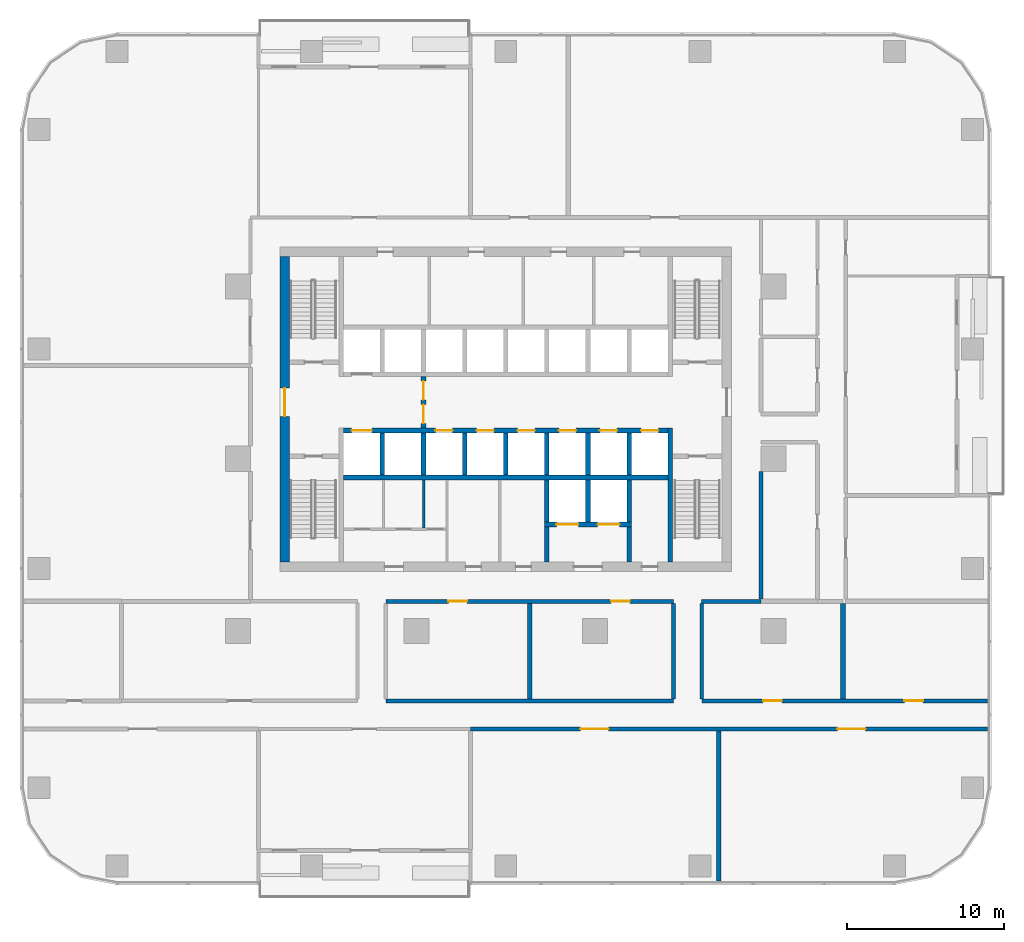
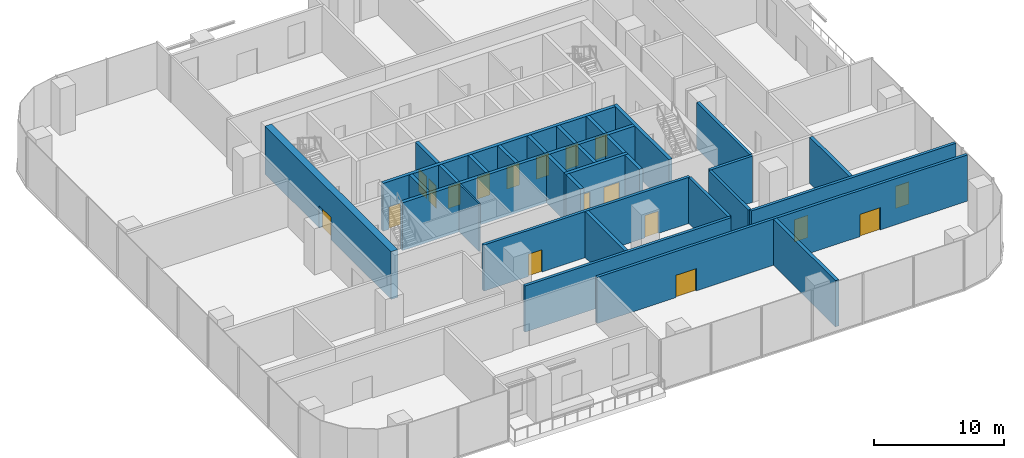
# One storey, part 8 of 15: 30 walls, 18 doors, 18 openings.
"""IFC4 building model written with IfcOpenShell, lengths in metres."""

from ifc_helpers import new_model, si_unit, direction, frame, frame_2d, origin, place, context, subcontext, project, spatial, rectangle, extrude, material, layer, layer_set, type_object, element, fill, save


model = new_model("IFC4")

# Units and contexts
model_context = context("Model", 3, precision=1e-05, world=origin(), true_north=direction((0.0, 1.0)))
body_context = subcontext(model_context, "Body", "Model", "MODEL_VIEW")
ifc_project = project(units=[si_unit("LENGTHUNIT", "METRE"), si_unit("AREAUNIT", "SQUARE_METRE"), si_unit("VOLUMEUNIT", "CUBIC_METRE"), si_unit("PLANEANGLEUNIT", "RADIAN"), si_unit("MASSUNIT", "GRAM", prefix="KILO")], contexts=[model_context])

# Site, building, storey
site_placement = place(None, origin())
site = spatial("IfcSite", under=ifc_project, at=site_placement, CompositionType="ELEMENT")
building_placement = place(site_placement, origin())
building = spatial("IfcBuilding", under=site, at=building_placement, Name="Mopane Tessera Tower", CompositionType="ELEMENT")
storey_placement = place(building_placement, frame((0.0, 0.0, 79.0)))
storey = spatial("IfcBuildingStorey", under=building, at=storey_placement, Name="L15", CompositionType="ELEMENT", Elevation=79.0)

# Wall
ifc_material_1 = material(Name="Fire-rated gypsum board partition")
ifc_layer_1 = layer(ifc_material_1, 0.14990234375)
ifc_layer_set_1 = layer_set([ifc_layer_1], Name="Fire-rated gypsum board partition")
wall_type_1 = type_object("IfcWallType", Name="Core room partition 150 mm", PredefinedType="PARTITIONING", material=ifc_layer_set_1)
wall_1_placement = place(storey_placement, frame((-5.235107421875, -4.425048828125, 0.0), z_axis=(0.0, 0.0, 1.0), x_axis=(0.0, 1.0, 0.0)))
element("IfcWall", 1, at=wall_1_placement, inside=storey, type_object=wall_type_1, Name="L15 WC partition", PredefinedType="PARTITIONING", context=body_context, shape_type="SweptSolid", body=[
    extrude(rectangle(XDim=3.074951171875, YDim=0.14990234375, at=frame_2d((1.53759765625, 0.0))), origin(), (0.0, 0.0, 1.0), 4.5),
])

# Wall, opening, door
ifc_material_2 = material(Name="Concrete C70/85", Category="concrete")
ifc_layer_2 = layer(ifc_material_2, 0.60009765625)
ifc_layer_set_2 = layer_set([ifc_layer_2], Name="Concrete C70/85")
wall_type_2 = type_object("IfcWallType", Name="Core shear wall 600 mm", PredefinedType="SHEAR", material=ifc_layer_set_2)
wall_2_placement = place(storey_placement, frame((-14.10009765625, -6.60009765625, 0.0), z_axis=(0.0, 0.0, 1.0), x_axis=(0.0, 1.0, 0.0)))
wall_2 = element("IfcWall", 2, at=wall_2_placement, inside=storey, type_object=wall_type_2, Name="L15 Core wall west", PredefinedType="SHEAR", context=body_context, shape_type="SweptSolid", body=[
    extrude(rectangle(XDim=19.5, YDim=0.60009765625, at=frame_2d((9.75, 0.0))), origin(), (0.0, 0.0, 1.0), 4.5),
])
opening_1_placement = place(wall_2_placement, frame((9.300048828125, 0.0, 0.0)))
opening_1 = element("IfcOpeningElement", 3, at=opening_1_placement, cuts=wall_2, Name="Opening SD2", PredefinedType="OPENING", context=body_context, shape_type="SweptSolid", body=[
    extrude(rectangle(XDim=1.800048828125, YDim=2.10009765625, at=frame_2d((0.89990234375, 1.050048828125))), frame((0.0, 0.31201171875, 0.0), z_axis=(0.0, -1.0, 0.0), x_axis=(1.0, 0.0, 0.0)), (0.0, 0.0, 1.0), 0.6240234375),
])
ifc_material_3 = material(Name="Steel fire door", Category="steel")
door_type_1 = type_object("IfcDoorType", Name="Core entrance double door 1800 x 2100", OperationType="DOUBLE_DOOR_SINGLE_SWING", PredefinedType="DOOR", material=ifc_material_3)
door_1_placement = place(opening_1_placement, origin())
door_1 = element("IfcDoor", 4, at=door_1_placement, inside=storey, type_object=door_type_1, Name="L15 Core entrance door west", OperationType="DOUBLE_DOOR_SINGLE_SWING", OverallHeight=2.10009765625, OverallWidth=1.800048828125, PredefinedType="DOOR", context=body_context, shape_type="SweptSolid", body=[
    extrude(rectangle(XDim=1.800048828125, YDim=2.10009765625, at=frame_2d((0.89990234375, 1.050048828125))), frame((0.0, 0.02490234375, 0.0), z_axis=(0.0, -1.0, 0.0), x_axis=(1.0, 0.0, 0.0)), (0.0, 0.0, 1.0), 0.050048828125),
])
fill(opening_1, door_1)

# Walls
ifc_material_4 = material(Name="Concrete C60/75", Category="concrete")
ifc_layer_3 = layer(ifc_material_4, 0.300048828125)
ifc_layer_set_3 = layer_set([ifc_layer_3], Name="Concrete C60/75")
wall_type_3 = type_object("IfcWallType", Name="Core spine wall 300 mm", PredefinedType="SHEAR", material=ifc_layer_set_3)
wall_3_placement = place(storey_placement, frame((10.5, -6.60009765625, 0.0), z_axis=(0.0, 0.0, 1.0), x_axis=(0.0, 1.0, 0.0)))
element("IfcWall", 5, at=wall_3_placement, inside=storey, type_object=wall_type_3, Name="L15 Core spine wall", PredefinedType="SHEAR", context=body_context, shape_type="SweptSolid", body=[
    extrude(rectangle(XDim=8.550048828125, YDim=0.300048828125, at=frame_2d((4.27490234375, 0.0))), origin(), (0.0, 0.0, 1.0), 4.5),
])
ifc_material_5 = material(Name="Concrete C50/60", Category="concrete")
ifc_layer_4 = layer(ifc_material_5, 0.300048828125)
ifc_layer_set_4 = layer_set([ifc_layer_4], Name="Concrete C50/60")
wall_type_4 = type_object("IfcWallType", Name="Lift and stair shaft wall 300 mm", PredefinedType="SOLIDWALL", material=ifc_layer_set_4)
wall_4_placement = place(storey_placement, frame((-10.35009765625, -1.199951171875, 0.0), z_axis=(0.0, 0.0, 1.0), x_axis=(1.0, 0.0, 0.0)))
element("IfcWall", 6, at=wall_4_placement, inside=storey, type_object=wall_type_4, Name="L15 Lift shaft rear wall", PredefinedType="SOLIDWALL", context=body_context, shape_type="SweptSolid", body=[
    extrude(rectangle(XDim=20.7001953125, YDim=0.300048828125, at=frame_2d((10.35009765625, 0.0))), origin(), (0.0, 0.0, 1.0), 4.5),
])

# Wall, openings, doors
wall_5_placement = place(storey_placement, frame((-10.35009765625, 1.800048828125, 0.0), z_axis=(0.0, 0.0, 1.0), x_axis=(1.0, 0.0, 0.0)))
wall_5 = element("IfcWall", 7, at=wall_5_placement, inside=storey, type_object=wall_type_4, Name="L15 Lift shaft front wall", PredefinedType="SOLIDWALL", context=body_context, shape_type="SweptSolid", body=[
    extrude(rectangle(XDim=20.7001953125, YDim=0.300048828125, at=frame_2d((10.35009765625, 0.0))), origin(), (0.0, 0.0, 1.0), 4.5),
])
opening_2_placement = place(wall_5_placement, frame((0.512451171875, 0.0, 0.0)))
opening_2 = element("IfcOpeningElement", 8, at=opening_2_placement, cuts=wall_5, Name="Opening LD2", PredefinedType="OPENING", context=body_context, shape_type="SweptSolid", body=[
    extrude(rectangle(XDim=1.300048828125, YDim=2.10009765625, at=frame_2d((0.64990234375, 1.050048828125))), frame((0.0, 0.162109375, 0.0), z_axis=(0.0, -1.0, 0.0), x_axis=(1.0, 0.0, 0.0)), (0.0, 0.0, 1.0), 0.323974609375),
])
opening_3_placement = place(wall_5_placement, frame((5.862548828125, 0.0, 0.0)))
opening_3 = element("IfcOpeningElement", 9, at=opening_3_placement, cuts=wall_5, Name="Opening LD", PredefinedType="OPENING", context=body_context, shape_type="SweptSolid", body=[
    extrude(rectangle(XDim=1.10009765625, YDim=2.10009765625, at=frame_2d((0.550048828125, 1.050048828125))), frame((0.0, 0.162109375, 0.0), z_axis=(0.0, -1.0, 0.0), x_axis=(1.0, 0.0, 0.0)), (0.0, 0.0, 1.0), 0.323974609375),
])
opening_4_placement = place(wall_5_placement, frame((8.487548828125, 0.0, 0.0)))
opening_4 = element("IfcOpeningElement", 10, at=opening_4_placement, cuts=wall_5, Name="Opening LD", PredefinedType="OPENING", context=body_context, shape_type="SweptSolid", body=[
    extrude(rectangle(XDim=1.10009765625, YDim=2.10009765625, at=frame_2d((0.550048828125, 1.050048828125))), frame((0.0, 0.162109375, 0.0), z_axis=(0.0, -1.0, 0.0), x_axis=(1.0, 0.0, 0.0)), (0.0, 0.0, 1.0), 0.323974609375),
])
opening_5_placement = place(wall_5_placement, frame((11.112548828125, 0.0, 0.0)))
opening_5 = element("IfcOpeningElement", 11, at=opening_5_placement, cuts=wall_5, Name="Opening LD", PredefinedType="OPENING", context=body_context, shape_type="SweptSolid", body=[
    extrude(rectangle(XDim=1.10009765625, YDim=2.10009765625, at=frame_2d((0.550048828125, 1.050048828125))), frame((0.0, 0.162109375, 0.0), z_axis=(0.0, -1.0, 0.0), x_axis=(1.0, 0.0, 0.0)), (0.0, 0.0, 1.0), 0.323974609375),
])
opening_6_placement = place(wall_5_placement, frame((13.737548828125, 0.0, 0.0)))
opening_6 = element("IfcOpeningElement", 12, at=opening_6_placement, cuts=wall_5, Name="Opening LD", PredefinedType="OPENING", context=body_context, shape_type="SweptSolid", body=[
    extrude(rectangle(XDim=1.10009765625, YDim=2.10009765625, at=frame_2d((0.550048828125, 1.050048828125))), frame((0.0, 0.162109375, 0.0), z_axis=(0.0, -1.0, 0.0), x_axis=(1.0, 0.0, 0.0)), (0.0, 0.0, 1.0), 0.323974609375),
])
opening_7_placement = place(wall_5_placement, frame((16.362548828125, 0.0, 0.0)))
opening_7 = element("IfcOpeningElement", 13, at=opening_7_placement, cuts=wall_5, Name="Opening LD", PredefinedType="OPENING", context=body_context, shape_type="SweptSolid", body=[
    extrude(rectangle(XDim=1.10009765625, YDim=2.10009765625, at=frame_2d((0.550048828125, 1.050048828125))), frame((0.0, 0.162109375, 0.0), z_axis=(0.0, -1.0, 0.0), x_axis=(1.0, 0.0, 0.0)), (0.0, 0.0, 1.0), 0.323974609375),
])
opening_8_placement = place(wall_5_placement, frame((18.987548828125, 0.0, 0.0)))
opening_8 = element("IfcOpeningElement", 14, at=opening_8_placement, cuts=wall_5, Name="Opening LD", PredefinedType="OPENING", context=body_context, shape_type="SweptSolid", body=[
    extrude(rectangle(XDim=1.10009765625, YDim=2.10009765625, at=frame_2d((0.550048828125, 1.050048828125))), frame((0.0, 0.162109375, 0.0), z_axis=(0.0, -1.0, 0.0), x_axis=(1.0, 0.0, 0.0)), (0.0, 0.0, 1.0), 0.323974609375),
])
ifc_material_6 = material(Name="Stainless steel sliding door", Category="steel")
door_type_2 = type_object("IfcDoorType", Name="Fire-fighting lift landing door 1300 x 2100", OperationType="DOUBLE_DOOR_SLIDING", PredefinedType="DOOR", material=ifc_material_6)
door_2_placement = place(opening_2_placement, origin())
door_2 = element("IfcDoor", 15, at=door_2_placement, inside=storey, type_object=door_type_2, Name="L15 Lift landing door FF1", OperationType="DOUBLE_DOOR_SLIDING", OverallHeight=2.10009765625, OverallWidth=1.300048828125, PredefinedType="DOOR", context=body_context, shape_type="SweptSolid", body=[
    extrude(rectangle(XDim=1.300048828125, YDim=2.10009765625, at=frame_2d((0.64990234375, 1.050048828125))), frame((0.0, 0.02490234375, 0.0), z_axis=(0.0, -1.0, 0.0), x_axis=(1.0, 0.0, 0.0)), (0.0, 0.0, 1.0), 0.050048828125),
])
fill(opening_2, door_2)
ifc_material_7 = material(Name="Stainless steel sliding door", Category="steel")
door_type_3 = type_object("IfcDoorType", Name="Lift landing door 1100 x 2100", OperationType="DOUBLE_DOOR_SLIDING", PredefinedType="DOOR", material=ifc_material_7)
door_3_placement = place(opening_3_placement, origin())
door_3 = element("IfcDoor", 16, at=door_3_placement, inside=storey, type_object=door_type_3, Name="L15 Lift landing door LR1", OperationType="DOUBLE_DOOR_SLIDING", OverallHeight=2.10009765625, OverallWidth=1.10009765625, PredefinedType="DOOR", context=body_context, shape_type="SweptSolid", body=[
    extrude(rectangle(XDim=1.10009765625, YDim=2.10009765625, at=frame_2d((0.550048828125, 1.050048828125))), frame((0.0, 0.02490234375, 0.0), z_axis=(0.0, -1.0, 0.0), x_axis=(1.0, 0.0, 0.0)), (0.0, 0.0, 1.0), 0.050048828125),
])
fill(opening_3, door_3)
door_4_placement = place(opening_4_placement, origin())
door_4 = element("IfcDoor", 17, at=door_4_placement, inside=storey, type_object=door_type_3, Name="L15 Lift landing door LR2", OperationType="DOUBLE_DOOR_SLIDING", OverallHeight=2.10009765625, OverallWidth=1.10009765625, PredefinedType="DOOR", context=body_context, shape_type="SweptSolid", body=[
    extrude(rectangle(XDim=1.10009765625, YDim=2.10009765625, at=frame_2d((0.550048828125, 1.050048828125))), frame((0.0, 0.02490234375, 0.0), z_axis=(0.0, -1.0, 0.0), x_axis=(1.0, 0.0, 0.0)), (0.0, 0.0, 1.0), 0.050048828125),
])
fill(opening_4, door_4)
door_5_placement = place(opening_5_placement, origin())
door_5 = element("IfcDoor", 18, at=door_5_placement, inside=storey, type_object=door_type_3, Name="L15 Lift landing door LR3", OperationType="DOUBLE_DOOR_SLIDING", OverallHeight=2.10009765625, OverallWidth=1.10009765625, PredefinedType="DOOR", context=body_context, shape_type="SweptSolid", body=[
    extrude(rectangle(XDim=1.10009765625, YDim=2.10009765625, at=frame_2d((0.550048828125, 1.050048828125))), frame((0.0, 0.02490234375, 0.0), z_axis=(0.0, -1.0, 0.0), x_axis=(1.0, 0.0, 0.0)), (0.0, 0.0, 1.0), 0.050048828125),
])
fill(opening_5, door_5)
door_6_placement = place(opening_6_placement, origin())
door_6 = element("IfcDoor", 19, at=door_6_placement, inside=storey, type_object=door_type_3, Name="L15 Lift landing door LR4", OperationType="DOUBLE_DOOR_SLIDING", OverallHeight=2.10009765625, OverallWidth=1.10009765625, PredefinedType="DOOR", context=body_context, shape_type="SweptSolid", body=[
    extrude(rectangle(XDim=1.10009765625, YDim=2.10009765625, at=frame_2d((0.550048828125, 1.050048828125))), frame((0.0, 0.02490234375, 0.0), z_axis=(0.0, -1.0, 0.0), x_axis=(1.0, 0.0, 0.0)), (0.0, 0.0, 1.0), 0.050048828125),
])
fill(opening_6, door_6)
door_7_placement = place(opening_7_placement, origin())
door_7 = element("IfcDoor", 20, at=door_7_placement, inside=storey, type_object=door_type_3, Name="L15 Lift landing door LR5", OperationType="DOUBLE_DOOR_SLIDING", OverallHeight=2.10009765625, OverallWidth=1.10009765625, PredefinedType="DOOR", context=body_context, shape_type="SweptSolid", body=[
    extrude(rectangle(XDim=1.10009765625, YDim=2.10009765625, at=frame_2d((0.550048828125, 1.050048828125))), frame((0.0, 0.02490234375, 0.0), z_axis=(0.0, -1.0, 0.0), x_axis=(1.0, 0.0, 0.0)), (0.0, 0.0, 1.0), 0.050048828125),
])
fill(opening_7, door_7)
door_8_placement = place(opening_8_placement, origin())
door_8 = element("IfcDoor", 21, at=door_8_placement, inside=storey, type_object=door_type_3, Name="L15 Lift landing door LR6", OperationType="DOUBLE_DOOR_SLIDING", OverallHeight=2.10009765625, OverallWidth=1.10009765625, PredefinedType="DOOR", context=body_context, shape_type="SweptSolid", body=[
    extrude(rectangle(XDim=1.10009765625, YDim=2.10009765625, at=frame_2d((0.550048828125, 1.050048828125))), frame((0.0, 0.02490234375, 0.0), z_axis=(0.0, -1.0, 0.0), x_axis=(1.0, 0.0, 0.0)), (0.0, 0.0, 1.0), 0.050048828125),
])
fill(opening_8, door_8)

# Walls
for number, where, z_axis, x_axis, name in (
    (22, (-7.875, -1.050048828125, 0.0), (0.0, 0.0, 1.0), (0.0, 1.0, 0.0), "L15 Lift shaft wall"),
    (23, (-5.25, -1.050048828125, 0.0), (0.0, 0.0, 1.0), (0.0, 1.0, 0.0), "L15 Lift shaft wall"),
    (24, (-2.625, -1.050048828125, 0.0), (0.0, 0.0, 1.0), (0.0, 1.0, 0.0), "L15 Lift shaft wall"),
    (25, (0.0, -1.050048828125, 0.0), (0.0, 0.0, 1.0), (0.0, 1.0, 0.0), "L15 Lift shaft wall"),
    (26, (2.625, -1.050048828125, 0.0), (0.0, 0.0, 1.0), (0.0, 1.0, 0.0), "L15 Lift shaft wall"),
    (27, (5.25, -1.050048828125, 0.0), (0.0, 0.0, 1.0), (0.0, 1.0, 0.0), "L15 Lift shaft wall"),
    (28, (7.875, -1.050048828125, 0.0), (0.0, 0.0, 1.0), (0.0, 1.0, 0.0), "L15 Lift shaft wall"),
):
    element("IfcWall", number, at=place(storey_placement, frame(where, z_axis=z_axis, x_axis=x_axis)), inside=storey, type_object=wall_type_4, Name=name, PredefinedType="SOLIDWALL", context=body_context, shape_type="SweptSolid", body=[
        extrude(rectangle(XDim=2.699951171875, YDim=0.300048828125, at=frame_2d((1.35009765625, 0.0))), origin(), (0.0, 0.0, 1.0), 4.5),
    ])

# Wall, openings, doors
wall_6_placement = place(storey_placement, frame((2.47509765625, -4.199951171875, 0.0), z_axis=(0.0, 0.0, 1.0), x_axis=(1.0, 0.0, 0.0)))
wall_6 = element("IfcWall", 29, at=wall_6_placement, inside=storey, type_object=wall_type_4, Name="L15 Lift shaft front wall", PredefinedType="SOLIDWALL", context=body_context, shape_type="SweptSolid", body=[
    extrude(rectangle(XDim=5.5498046875, YDim=0.300048828125, at=frame_2d((2.77490234375, 0.0))), origin(), (0.0, 0.0, 1.0), 4.5),
])
opening_9_placement = place(wall_6_placement, frame((0.762451171875, 0.0, 0.0)))
opening_9 = element("IfcOpeningElement", 30, at=opening_9_placement, cuts=wall_6, Name="Opening LD3", PredefinedType="OPENING", context=body_context, shape_type="SweptSolid", body=[
    extrude(rectangle(XDim=1.39990234375, YDim=2.10009765625, at=frame_2d((0.699951171875, 1.050048828125))), frame((0.0, 0.162109375, 0.0), z_axis=(0.0, -1.0, 0.0), x_axis=(1.0, 0.0, 0.0)), (0.0, 0.0, 1.0), 0.323974609375),
])
opening_10_placement = place(wall_6_placement, frame((3.387451171875, 0.0, 0.0)))
opening_10 = element("IfcOpeningElement", 31, at=opening_10_placement, cuts=wall_6, Name="Opening LD3", PredefinedType="OPENING", context=body_context, shape_type="SweptSolid", body=[
    extrude(rectangle(XDim=1.39990234375, YDim=2.10009765625, at=frame_2d((0.699951171875, 1.050048828125))), frame((0.0, 0.162109375, 0.0), z_axis=(0.0, -1.0, 0.0), x_axis=(1.0, 0.0, 0.0)), (0.0, 0.0, 1.0), 0.323974609375),
])
ifc_material_8 = material(Name="Stainless steel sliding door", Category="steel")
door_type_4 = type_object("IfcDoorType", Name="Service lift landing door 1400 x 2100", OperationType="DOUBLE_DOOR_SLIDING", PredefinedType="DOOR", material=ifc_material_8)
door_9_placement = place(opening_9_placement, origin())
door_9 = element("IfcDoor", 32, at=door_9_placement, inside=storey, type_object=door_type_4, Name="L15 Lift landing door SV1", OperationType="DOUBLE_DOOR_SLIDING", OverallHeight=2.10009765625, OverallWidth=1.39990234375, PredefinedType="DOOR", context=body_context, shape_type="SweptSolid", body=[
    extrude(rectangle(XDim=1.39990234375, YDim=2.10009765625, at=frame_2d((0.699951171875, 1.050048828125))), frame((0.0, 0.02490234375, 0.0), z_axis=(0.0, -1.0, 0.0), x_axis=(1.0, 0.0, 0.0)), (0.0, 0.0, 1.0), 0.050048828125),
])
fill(opening_9, door_9)
door_10_placement = place(opening_10_placement, origin())
door_10 = element("IfcDoor", 33, at=door_10_placement, inside=storey, type_object=door_type_4, Name="L15 Lift landing door SV2", OperationType="DOUBLE_DOOR_SLIDING", OverallHeight=2.10009765625, OverallWidth=1.39990234375, PredefinedType="DOOR", context=body_context, shape_type="SweptSolid", body=[
    extrude(rectangle(XDim=1.39990234375, YDim=2.10009765625, at=frame_2d((0.699951171875, 1.050048828125))), frame((0.0, 0.02490234375, 0.0), z_axis=(0.0, -1.0, 0.0), x_axis=(1.0, 0.0, 0.0)), (0.0, 0.0, 1.0), 0.050048828125),
])
fill(opening_10, door_10)

# Walls
for number, where, z_axis, x_axis, name in (
    (34, (2.625, -4.050048828125, 0.0), (0.0, 0.0, 1.0), (0.0, 1.0, 0.0), "L15 Lift shaft wall"),
    (35, (5.25, -4.050048828125, 0.0), (0.0, 0.0, 1.0), (0.0, 1.0, 0.0), "L15 Lift shaft wall"),
    (36, (7.875, -4.050048828125, 0.0), (0.0, 0.0, 1.0), (0.0, 1.0, 0.0), "L15 Lift shaft wall"),
):
    element("IfcWall", number, at=place(storey_placement, frame(where, z_axis=z_axis, x_axis=x_axis)), inside=storey, type_object=wall_type_4, Name=name, PredefinedType="SOLIDWALL", context=body_context, shape_type="SweptSolid", body=[
        extrude(rectangle(XDim=2.699951171875, YDim=0.300048828125, at=frame_2d((1.35009765625, 0.0))), origin(), (0.0, 0.0, 1.0), 4.5),
    ])

# Wall, openings, doors
ifc_material_9 = material(Name="Concrete C50/60", Category="concrete")
ifc_layer_5 = layer(ifc_material_9, 0.300048828125)
ifc_layer_set_5 = layer_set([ifc_layer_5], Name="Concrete C50/60")
wall_type_5 = type_object("IfcWallType", Name="Lobby and refuge room wall 300 mm", PredefinedType="SOLIDWALL", material=ifc_layer_set_5)
wall_7_placement = place(storey_placement, frame((-5.25, 1.949951171875, 0.0), z_axis=(0.0, 0.0, 1.0), x_axis=(0.0, 1.0, 0.0)))
wall_7 = element("IfcWall", 37, at=wall_7_placement, inside=storey, type_object=wall_type_5, Name="L15 Fire-fighting lobby wall", PredefinedType="SOLIDWALL", context=body_context, shape_type="SweptSolid", body=[
    extrude(rectangle(XDim=3.300048828125, YDim=0.300048828125, at=frame_2d((1.64990234375, 0.0))), origin(), (0.0, 0.0, 1.0), 4.5),
])
opening_11_placement = place(wall_7_placement, frame((0.300048828125, 0.0, 0.0)))
opening_11 = element("IfcOpeningElement", 38, at=opening_11_placement, cuts=wall_7, Name="Opening SD3", PredefinedType="OPENING", context=body_context, shape_type="SweptSolid", body=[
    extrude(rectangle(XDim=1.199951171875, YDim=2.10009765625, at=frame_2d((0.60009765625, 1.050048828125))), frame((0.0, 0.162109375, 0.0), z_axis=(0.0, -1.0, 0.0), x_axis=(1.0, 0.0, 0.0)), (0.0, 0.0, 1.0), 0.323974609375),
])
opening_12_placement = place(wall_7_placement, frame((1.800048828125, 0.0, 0.0)))
opening_12 = element("IfcOpeningElement", 39, at=opening_12_placement, cuts=wall_7, Name="Opening SD3", PredefinedType="OPENING", context=body_context, shape_type="SweptSolid", body=[
    extrude(rectangle(XDim=1.199951171875, YDim=2.10009765625, at=frame_2d((0.60009765625, 1.050048828125))), frame((0.0, 0.162109375, 0.0), z_axis=(0.0, -1.0, 0.0), x_axis=(1.0, 0.0, 0.0)), (0.0, 0.0, 1.0), 0.323974609375),
])
ifc_material_10 = material(Name="Steel fire door", Category="steel")
door_type_5 = type_object("IfcDoorType", Name="Lobby fire door 1200 x 2100", OperationType="SINGLE_SWING_LEFT", PredefinedType="DOOR", material=ifc_material_10)
door_11_placement = place(opening_11_placement, origin())
door_11 = element("IfcDoor", 40, at=door_11_placement, inside=storey, type_object=door_type_5, Name="L15 Fire-fighting lobby door", OperationType="SINGLE_SWING_LEFT", OverallHeight=2.10009765625, OverallWidth=1.199951171875, PredefinedType="DOOR", context=body_context, shape_type="SweptSolid", body=[
    extrude(rectangle(XDim=1.199951171875, YDim=2.10009765625, at=frame_2d((0.60009765625, 1.050048828125))), frame((0.0, 0.02490234375, 0.0), z_axis=(0.0, -1.0, 0.0), x_axis=(1.0, 0.0, 0.0)), (0.0, 0.0, 1.0), 0.050048828125),
])
fill(opening_11, door_11)
door_12_placement = place(opening_12_placement, origin())
door_12 = element("IfcDoor", 41, at=door_12_placement, inside=storey, type_object=door_type_5, Name="L15 Fire-fighting lobby door", OperationType="SINGLE_SWING_RIGHT", OverallHeight=2.10009765625, OverallWidth=1.199951171875, PredefinedType="DOOR", context=body_context, shape_type="SweptSolid", body=[
    extrude(rectangle(XDim=1.199951171875, YDim=2.10009765625, at=frame_2d((0.60009765625, 1.050048828125))), frame((0.0, 0.02490234375, 0.0), z_axis=(0.0, -1.0, 0.0), x_axis=(1.0, 0.0, 0.0)), (0.0, 0.0, 1.0), 0.050048828125),
])
fill(opening_12, door_12)

# Walls
for number, where, z_axis, x_axis, name in (
    (42, (2.625, -6.60009765625, 0.0), (0.0, 0.0, 1.0), (0.0, 1.0, 0.0), "L15 Service lobby wall"),
    (43, (7.875, -6.60009765625, 0.0), (0.0, 0.0, 1.0), (0.0, 1.0, 0.0), "L15 Service lobby wall"),
):
    element("IfcWall", number, at=place(storey_placement, frame(where, z_axis=z_axis, x_axis=x_axis)), inside=storey, type_object=wall_type_5, Name=name, PredefinedType="SOLIDWALL", context=body_context, shape_type="SweptSolid", body=[
        extrude(rectangle(XDim=2.25, YDim=0.300048828125, at=frame_2d((1.125, 0.0))), origin(), (0.0, 0.0, 1.0), 4.5),
    ])
ifc_material_11 = material(Name="Plastered concrete blockwork C20/25", Category="masonry")
ifc_layer_6 = layer(ifc_material_11, 0.300048828125)
ifc_layer_set_6 = layer_set([ifc_layer_6], Name="Plastered concrete blockwork C20/25")
wall_type_6 = type_object("IfcWallType", Name="Plastered blockwork separation wall 300, rated EI 120", PredefinedType="PARTITIONING", material=ifc_layer_set_6)
wall_8_placement = place(storey_placement, frame((1.530029296875, -15.324951171875, 0.0), z_axis=(0.0, 0.0, 1.0), x_axis=(0.0, 1.0, 0.0)))
element("IfcWall", 44, at=wall_8_placement, inside=storey, type_object=wall_type_6, Name="Partition L15:034", PredefinedType="PARTITIONING", context=body_context, shape_type="SweptSolid", body=[
    extrude(rectangle(XDim=6.099853515625, YDim=0.300048828125, at=frame_2d((3.0498046875, 0.0))), origin(), (0.0, 0.0, 1.0), 4.35009765625),
])
wall_9_placement = place(storey_placement, frame((13.594970703125, -26.949951171875, 0.0), z_axis=(0.0, 0.0, 1.0), x_axis=(0.0, 1.0, 0.0)))
element("IfcWall", 45, at=wall_9_placement, inside=storey, type_object=wall_type_6, Name="Partition L15:038", PredefinedType="PARTITIONING", context=body_context, shape_type="SweptSolid", body=[
    extrude(rectangle(XDim=9.574951171875, YDim=0.300048828125, at=frame_2d((4.78759765625, 0.0))), origin(), (0.0, 0.0, 1.0), 4.35009765625),
])
wall_10_placement = place(storey_placement, frame((21.530029296875, -15.324951171875, 0.0), z_axis=(0.0, 0.0, 1.0), x_axis=(0.0, 1.0, 0.0)))
element("IfcWall", 46, at=wall_10_placement, inside=storey, type_object=wall_type_6, Name="Partition L15:046", PredefinedType="PARTITIONING", context=body_context, shape_type="SweptSolid", body=[
    extrude(rectangle(XDim=6.099853515625, YDim=0.300048828125, at=frame_2d((3.0498046875, 0.0))), origin(), (0.0, 0.0, 1.0), 4.35009765625),
])

# Wall, openings, doors
ifc_material_12 = material(Name="Plastered concrete blockwork C20/25", Category="masonry")
ifc_layer_7 = layer(ifc_material_12, 0.25)
ifc_layer_set_7 = layer_set([ifc_layer_7], Name="Plastered concrete blockwork C20/25")
wall_type_7 = type_object("IfcWallType", Name="Plastered blockwork wall 250, rated EI 120", PredefinedType="PARTITIONING", material=ifc_layer_set_7)
wall_11_placement = place(storey_placement, frame((-2.2548828125, -17.25, 0.0), z_axis=(0.0, 0.0, 1.0), x_axis=(1.0, 0.0, 0.0)))
wall_11 = element("IfcWall", 47, at=wall_11_placement, inside=storey, type_object=wall_type_7, Name="Partition L15:002", PredefinedType="PARTITIONING", context=body_context, shape_type="SweptSolid", body=[
    extrude(rectangle(XDim=33.0048828125, YDim=0.25, at=frame_2d((16.50244140625, 0.0))), origin(), (0.0, 0.0, 1.0), 4.35009765625),
])
opening_13_placement = place(wall_11_placement, frame((7.02490234375, 0.0, 0.0)))
opening_13 = element("IfcOpeningElement", 48, at=opening_13_placement, cuts=wall_11, Name="Opening L15-06", PredefinedType="OPENING", context=body_context, shape_type="SweptSolid", body=[
    extrude(rectangle(XDim=1.800048828125, YDim=2.10009765625, at=frame_2d((0.89990234375, 1.050048828125))), frame((0.0, 0.136962890625, 0.0), z_axis=(0.0, -1.0, 0.0), x_axis=(1.0, 0.0, 0.0)), (0.0, 0.0, 1.0), 0.27392578125),
])
opening_14_placement = place(wall_11_placement, frame((23.427490234375, 0.0, 0.0)))
opening_14 = element("IfcOpeningElement", 49, at=opening_14_placement, cuts=wall_11, Name="Opening L15-10", PredefinedType="OPENING", context=body_context, shape_type="SweptSolid", body=[
    extrude(rectangle(XDim=1.800048828125, YDim=2.10009765625, at=frame_2d((0.89990234375, 1.050048828125))), frame((0.0, 0.136962890625, 0.0), z_axis=(0.0, -1.0, 0.0), x_axis=(1.0, 0.0, 0.0)), (0.0, 0.0, 1.0), 0.27392578125),
])
ifc_material_13 = material(Name="Timber veneered steel-framed fire door", Category="steel")
door_type_6 = type_object("IfcDoorType", Name="Fire door pair FD120 1800 x 2100", OperationType="DOUBLE_DOOR_SINGLE_SWING", PredefinedType="DOOR", material=ifc_material_13)
door_13_placement = place(opening_13_placement, origin())
door_13 = element("IfcDoor", 50, at=door_13_placement, inside=storey, type_object=door_type_6, Name="Door L15-06", ObjectType="D20B", OperationType="DOUBLE_DOOR_SINGLE_SWING", OverallHeight=2.10009765625, OverallWidth=1.800048828125, PredefinedType="DOOR", context=body_context, shape_type="SweptSolid", body=[
    extrude(rectangle(XDim=1.800048828125, YDim=2.10009765625, at=frame_2d((0.89990234375, 1.050048828125))), frame((0.0, 0.02490234375, 0.0), z_axis=(0.0, -1.0, 0.0), x_axis=(1.0, 0.0, 0.0)), (0.0, 0.0, 1.0), 0.050048828125),
])
fill(opening_13, door_13)
door_14_placement = place(opening_14_placement, origin())
door_14 = element("IfcDoor", 51, at=door_14_placement, inside=storey, type_object=door_type_6, Name="Door L15-10", ObjectType="D20B", OperationType="DOUBLE_DOOR_SINGLE_SWING", OverallHeight=2.10009765625, OverallWidth=1.800048828125, PredefinedType="DOOR", context=body_context, shape_type="SweptSolid", body=[
    extrude(rectangle(XDim=1.800048828125, YDim=2.10009765625, at=frame_2d((0.89990234375, 1.050048828125))), frame((0.0, 0.02490234375, 0.0), z_axis=(0.0, -1.0, 0.0), x_axis=(1.0, 0.0, 0.0)), (0.0, 0.0, 1.0), 0.050048828125),
])
fill(opening_14, door_14)

# Wall
wall_12_placement = place(storey_placement, frame((-7.655029296875, -15.449951171875, 0.0), z_axis=(0.0, 0.0, 1.0), x_axis=(1.0, 0.0, 0.0)))
element("IfcWall", 52, at=wall_12_placement, inside=storey, type_object=wall_type_7, Name="Partition L15:005", PredefinedType="PARTITIONING", context=body_context, shape_type="SweptSolid", body=[
    extrude(rectangle(XDim=18.364990234375, YDim=0.25, at=frame_2d((9.1826171875, 0.0))), origin(), (0.0, 0.0, 1.0), 4.35009765625),
])

# Wall, openings, doors
wall_13_placement = place(storey_placement, frame((12.510009765625, -15.449951171875, 0.0), z_axis=(0.0, 0.0, 1.0), x_axis=(1.0, 0.0, 0.0)))
wall_13 = element("IfcWall", 53, at=wall_13_placement, inside=storey, type_object=wall_type_7, Name="Partition L15:006", PredefinedType="PARTITIONING", context=body_context, shape_type="SweptSolid", body=[
    extrude(rectangle(XDim=18.239990234375, YDim=0.25, at=frame_2d((9.1201171875, 0.0))), origin(), (0.0, 0.0, 1.0), 4.35009765625),
])
opening_15_placement = place(wall_13_placement, frame((12.929931640625, 0.0, 0.0)))
opening_15 = element("IfcOpeningElement", 54, at=opening_15_placement, cuts=wall_13, Name="Opening L15-02", PredefinedType="OPENING", context=body_context, shape_type="SweptSolid", body=[
    extrude(rectangle(XDim=1.199951171875, YDim=2.10009765625, at=frame_2d((0.60009765625, 1.050048828125))), frame((0.0, 0.136962890625, 0.0), z_axis=(0.0, -1.0, 0.0), x_axis=(1.0, 0.0, 0.0)), (0.0, 0.0, 1.0), 0.27392578125),
])
opening_16_placement = place(wall_13_placement, frame((3.909912109375, 0.0, 0.0)))
opening_16 = element("IfcOpeningElement", 55, at=opening_16_placement, cuts=wall_13, Name="Opening L15-11", PredefinedType="OPENING", context=body_context, shape_type="SweptSolid", body=[
    extrude(rectangle(XDim=1.199951171875, YDim=2.10009765625, at=frame_2d((0.60009765625, 1.050048828125))), frame((0.0, 0.136962890625, 0.0), z_axis=(0.0, -1.0, 0.0), x_axis=(1.0, 0.0, 0.0)), (0.0, 0.0, 1.0), 0.27392578125),
])
ifc_material_14 = material(Name="Timber veneered steel-framed fire door", Category="steel")
door_type_7 = type_object("IfcDoorType", Name="Fire door FD120 1200 x 2100", OperationType="SINGLE_SWING_LEFT", PredefinedType="DOOR", material=ifc_material_14)
door_15_placement = place(opening_15_placement, origin())
door_15 = element("IfcDoor", 56, at=door_15_placement, inside=storey, type_object=door_type_7, Name="Door L15-02", ObjectType="D15B", OperationType="SINGLE_SWING_RIGHT", OverallHeight=2.10009765625, OverallWidth=1.199951171875, PredefinedType="DOOR", context=body_context, shape_type="SweptSolid", body=[
    extrude(rectangle(XDim=1.199951171875, YDim=2.10009765625, at=frame_2d((0.60009765625, 1.050048828125))), frame((0.0, 0.02490234375, 0.0), z_axis=(0.0, -1.0, 0.0), x_axis=(1.0, 0.0, 0.0)), (0.0, 0.0, 1.0), 0.050048828125),
])
fill(opening_15, door_15)
door_16_placement = place(opening_16_placement, origin())
door_16 = element("IfcDoor", 57, at=door_16_placement, inside=storey, type_object=door_type_7, Name="Door L15-11", ObjectType="D15B", OperationType="SINGLE_SWING_LEFT", OverallHeight=2.10009765625, OverallWidth=1.199951171875, PredefinedType="DOOR", context=body_context, shape_type="SweptSolid", body=[
    extrude(rectangle(XDim=1.199951171875, YDim=2.10009765625, at=frame_2d((0.60009765625, 1.050048828125))), frame((0.0, 0.02490234375, 0.0), z_axis=(0.0, -1.0, 0.0), x_axis=(1.0, 0.0, 0.0)), (0.0, 0.0, 1.0), 0.050048828125),
])
fill(opening_16, door_16)

wall_14_placement = place(storey_placement, frame((-7.655029296875, -9.10009765625, 0.0), z_axis=(0.0, 0.0, 1.0), x_axis=(1.0, 0.0, 0.0)))
wall_14 = element("IfcWall", 58, at=wall_14_placement, inside=storey, type_object=wall_type_7, Name="Partition L15:009", PredefinedType="PARTITIONING", context=body_context, shape_type="SweptSolid", body=[
    extrude(rectangle(XDim=18.364990234375, YDim=0.25, at=frame_2d((9.1826171875, 0.0))), origin(), (0.0, 0.0, 1.0), 4.35009765625),
])
opening_17_placement = place(wall_14_placement, frame((3.992431640625, 0.0, 0.0)))
opening_17 = element("IfcOpeningElement", 59, at=opening_17_placement, cuts=wall_14, Name="Opening L15-01", PredefinedType="OPENING", context=body_context, shape_type="SweptSolid", body=[
    extrude(rectangle(XDim=1.199951171875, YDim=2.10009765625, at=frame_2d((0.60009765625, 1.050048828125))), frame((0.0, 0.136962890625, 0.0), z_axis=(0.0, -1.0, 0.0), x_axis=(1.0, 0.0, 0.0)), (0.0, 0.0, 1.0), 0.27392578125),
])
opening_18_placement = place(wall_14_placement, frame((14.375, 0.0, 0.0)))
opening_18 = element("IfcOpeningElement", 60, at=opening_18_placement, cuts=wall_14, Name="Opening L15-13", PredefinedType="OPENING", context=body_context, shape_type="SweptSolid", body=[
    extrude(rectangle(XDim=1.199951171875, YDim=2.10009765625, at=frame_2d((0.60009765625, 1.050048828125))), frame((0.0, 0.136962890625, 0.0), z_axis=(0.0, -1.0, 0.0), x_axis=(1.0, 0.0, 0.0)), (0.0, 0.0, 1.0), 0.27392578125),
])
door_17_placement = place(opening_17_placement, origin())
door_17 = element("IfcDoor", 61, at=door_17_placement, inside=storey, type_object=door_type_7, Name="Door L15-01", ObjectType="D15B", OperationType="SINGLE_SWING_RIGHT", OverallHeight=2.10009765625, OverallWidth=1.199951171875, PredefinedType="DOOR", context=body_context, shape_type="SweptSolid", body=[
    extrude(rectangle(XDim=1.199951171875, YDim=2.10009765625, at=frame_2d((0.60009765625, 1.050048828125))), frame((0.0, 0.02490234375, 0.0), z_axis=(0.0, -1.0, 0.0), x_axis=(1.0, 0.0, 0.0)), (0.0, 0.0, 1.0), 0.050048828125),
])
fill(opening_17, door_17)
door_18_placement = place(opening_18_placement, origin())
door_18 = element("IfcDoor", 62, at=door_18_placement, inside=storey, type_object=door_type_7, Name="Door L15-13", ObjectType="D15B", OperationType="SINGLE_SWING_RIGHT", OverallHeight=2.10009765625, OverallWidth=1.199951171875, PredefinedType="DOOR", context=body_context, shape_type="SweptSolid", body=[
    extrude(rectangle(XDim=1.199951171875, YDim=2.10009765625, at=frame_2d((0.60009765625, 1.050048828125))), frame((0.0, 0.02490234375, 0.0), z_axis=(0.0, -1.0, 0.0), x_axis=(1.0, 0.0, 0.0)), (0.0, 0.0, 1.0), 0.050048828125),
])
fill(opening_18, door_18)

# Walls
wall_15_placement = place(storey_placement, frame((12.510009765625, -9.10009765625, 0.0), z_axis=(0.0, 0.0, 1.0), x_axis=(1.0, 0.0, 0.0)))
element("IfcWall", 63, at=wall_15_placement, inside=storey, type_object=wall_type_7, Name="Partition L15:010", PredefinedType="PARTITIONING", context=body_context, shape_type="SweptSolid", body=[
    extrude(rectangle(XDim=3.7900390625, YDim=0.25, at=frame_2d((1.89501953125, 0.0))), origin(), (0.0, 0.0, 1.0), 4.35009765625),
])
for number, where, z_axis, x_axis, name in (
    (64, (10.7099609375, -15.324951171875, 0.0), (0.0, 0.0, 1.0), (0.0, 1.0, 0.0), "Partition L15:036"),
    (65, (12.510009765625, -15.324951171875, 0.0), (0.0, 0.0, 1.0), (0.0, 1.0, 0.0), "Partition L15:037"),
):
    element("IfcWall", number, at=place(storey_placement, frame(where, z_axis=z_axis, x_axis=x_axis)), inside=storey, type_object=wall_type_7, Name=name, PredefinedType="PARTITIONING", context=body_context, shape_type="SweptSolid", body=[
        extrude(rectangle(XDim=6.099853515625, YDim=0.25, at=frame_2d((3.0498046875, 0.0))), origin(), (0.0, 0.0, 1.0), 4.35009765625),
    ])
wall_16_placement = place(storey_placement, frame((16.300048828125, -8.949951171875, 0.0), z_axis=(0.0, 0.0, 1.0), x_axis=(0.0, 1.0, 0.0)))
element("IfcWall", 66, at=wall_16_placement, inside=storey, type_object=wall_type_7, Name="Partition L15:041", PredefinedType="PARTITIONING", context=body_context, shape_type="SweptSolid", body=[
    extrude(rectangle(XDim=8.14990234375, YDim=0.25, at=frame_2d((4.074951171875, 0.0))), origin(), (0.0, 0.0, 1.0), 4.35009765625),
])

save(model, "model.ifc")
